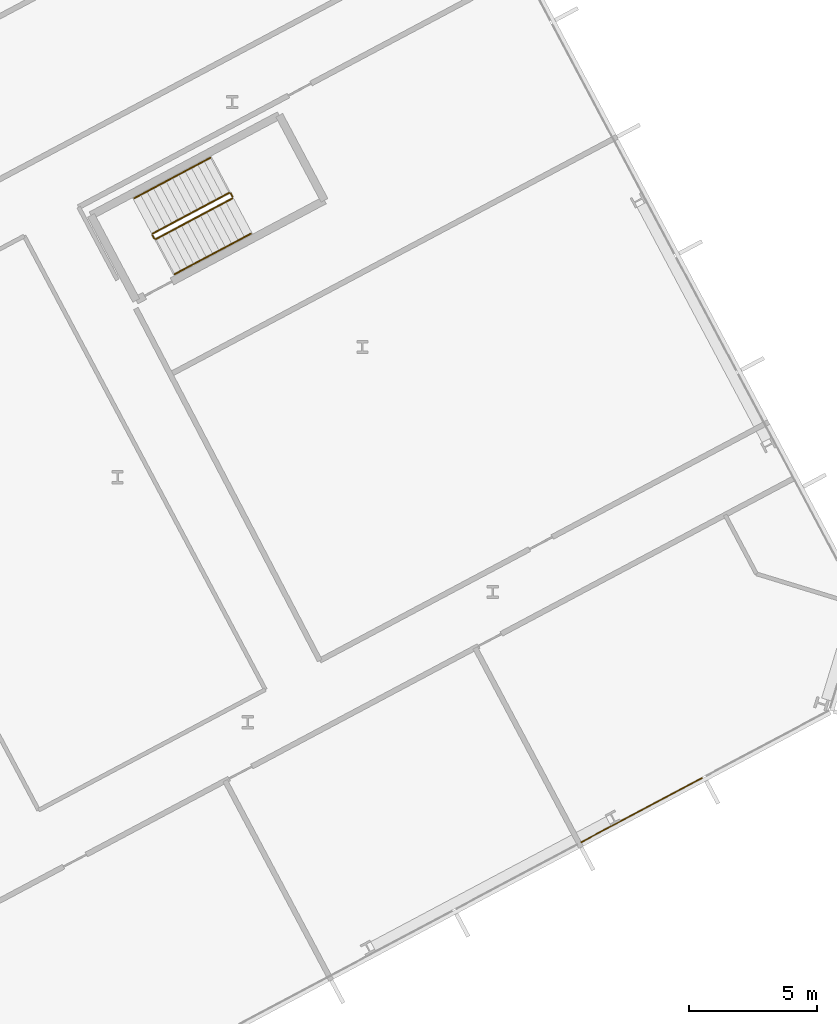
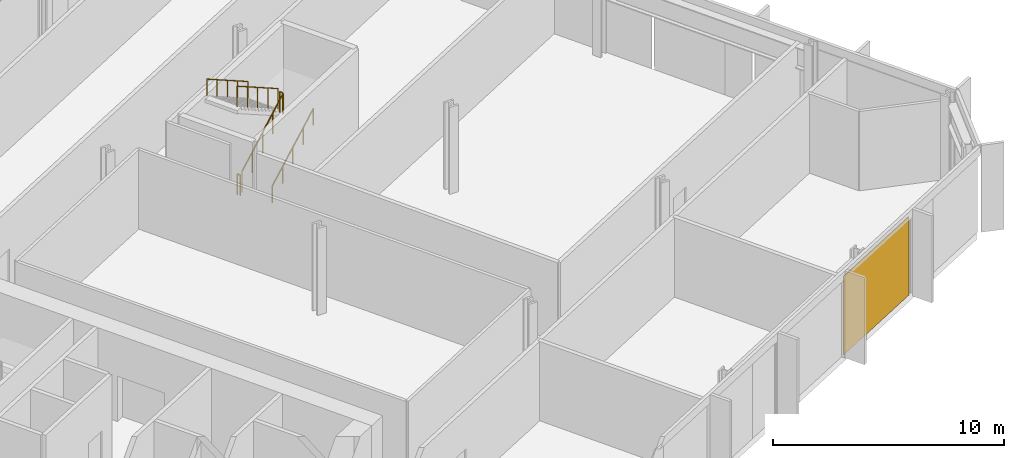
# One storey, part 30 of 32: 6 railings, 1 covering, 1 element without a shape of its own.
"""IFC4 building model written with IfcOpenShell, lengths in metres."""

from ifc_helpers import new_model, si_unit, direction, frame, origin, origin_2d, place, context, subcontext, project, spatial, polyline, rectangle, outline, extrude, material, layer, layer_set, type_object, element, aggregate, save


model = new_model("IFC4")

# Units and contexts
model_context = context("Model", 3, precision=1e-05, world=origin(), true_north=direction((0.0, 1.0)))
body_context = subcontext(model_context, "Body", "Model", "MODEL_VIEW")
ifc_project = project(units=[si_unit("LENGTHUNIT", "METRE"), si_unit("AREAUNIT", "SQUARE_METRE"), si_unit("VOLUMEUNIT", "CUBIC_METRE"), si_unit("PLANEANGLEUNIT", "RADIAN"), si_unit("MASSUNIT", "GRAM", prefix="KILO")], contexts=[model_context])

# Site, building, storey
site_placement = place(None, origin())
site = spatial("IfcSite", under=ifc_project, at=site_placement, CompositionType="ELEMENT")
building_placement = place(site_placement, origin())
building = spatial("IfcBuilding", under=site, at=building_placement, Name="Cormorant Relay Tower", CompositionType="ELEMENT")
storey_placement = place(building_placement, frame((0.0, 0.0, 70.800048828125)))
storey = spatial("IfcBuildingStorey", under=building, at=storey_placement, Name="L13", CompositionType="ELEMENT", Elevation=70.800048828125)

# Curtain wall, covering
ifc_material_1 = material(Name="Aluminium 6063-T6 anodised bronze", Category="aluminium")
ifc_layer_1 = layer(ifc_material_1, 0.199951171875)
ifc_layer_set_1 = layer_set([ifc_layer_1], Name="CW1 unitised bronze curtain wall with vertical fins")
curtain_wall_type = type_object("IfcCurtainWallType", Name="CW1 unitised bronze curtain wall with vertical fins", PredefinedType="NOTDEFINED", material=ifc_layer_set_1)
curtain_wall_placement = place(storey_placement, origin())
curtain_wall = element("IfcCurtainWall", 1, at=curtain_wall_placement, inside=storey, type_object=curtain_wall_type, Name="CW1 curtain wall 2", PredefinedType="NOTDEFINED")
ifc_material_2 = material(Name="Pale bronze anodised aluminium insulated panel", Category="aluminium")
ifc_layer_2 = layer(ifc_material_2, 0.0400390625)
ifc_layer_set_2 = layer_set([ifc_layer_2], Name="CW1 pale bronze insulated panel 40")
covering_type = type_object("IfcCoveringType", Name="CW1 pale bronze insulated panel 40", PredefinedType="CLADDING", material=ifc_layer_set_2)
covering_placement = place(storey_placement, frame((63.49169921875, 9.952392578125, 0.0), z_axis=(0.0, 0.0, 1.0), x_axis=(0.882947592859, 0.469471562786, 0.0)))
covering = element("IfcCovering", 2, at=covering_placement, type_object=covering_type, Name="CW1 panel S13", PredefinedType="CLADDING", context=body_context, shape_type="SweptSolid", body=[
    extrude(rectangle(XDim=5.36181640625, YDim=0.0400390625, at=origin_2d()), origin(), (0.0, 0.0, 1.0), 4.14990234375),
])
aggregate(curtain_wall, [covering])

# Railings
ifc_material_3 = material(Name="Steel ASTM A572 Grade 50 (Fy 345 MPa)", Category="steel")
railing_type_1 = type_object("IfcRailingType", Name="Stair guard 1100", PredefinedType="GUARDRAIL", material=ifc_material_3)
railing_1_placement = place(storey_placement, frame((44.583740234375, 32.186279296875, 0.1767578125)))
element("IfcRailing", 3, at=railing_1_placement, inside=storey, type_object=railing_type_1, Name="L13 RB1 stair guard 1", PredefinedType="GUARDRAIL", context=body_context, shape_type="SweptSolid", body=[
    extrude(outline(polyline([(0.022216796875, 0.00927734375), (0.00927734375, 0.022216796875), (-0.00927734375, 0.022216796875), (-0.022216796875, 0.00927734375), (-0.022216796875, -0.00927734375), (-0.00927734375, -0.022216796875), (0.00927734375, -0.022216796875), (0.022216796875, -0.00927734375), (0.022216796875, 0.00927734375)])), frame((0.0, 0.0, 1.076171875), z_axis=(0.74639798139, 0.396907814001, 0.534185586253), x_axis=(-0.469509342547, 0.882927503967, 0.0)), (0.0, 0.0, 1.0), 3.974853515625),
    extrude(outline(polyline([(0.019287109375, 0.008056640625), (0.008056640625, 0.019287109375), (-0.008056640625, 0.019287109375), (-0.019287109375, 0.008056640625), (-0.019287109375, -0.008056640625), (-0.008056640625, -0.019287109375), (0.008056640625, -0.019287109375), (0.019287109375, -0.008056640625), (0.019287109375, 0.008056640625)])), origin(), (0.0, 0.0, 1.0), 1.052001953125),
    extrude(outline(polyline([(0.019287109375, 0.008056640625), (0.008056640625, 0.019287109375), (-0.008056640625, 0.019287109375), (-0.019287109375, 0.008056640625), (-0.019287109375, -0.008056640625), (-0.008056640625, -0.019287109375), (0.008056640625, -0.019287109375), (0.019287109375, -0.008056640625), (0.019287109375, 0.008056640625)])), frame((0.74169921875, 0.39453125, 0.53076171875)), (0.0, 0.0, 1.0), 1.052001953125),
    extrude(outline(polyline([(0.019287109375, 0.008056640625), (0.008056640625, 0.019287109375), (-0.008056640625, 0.019287109375), (-0.019287109375, 0.008056640625), (-0.019287109375, -0.008056640625), (-0.008056640625, -0.019287109375), (0.008056640625, -0.019287109375), (0.019287109375, -0.008056640625), (0.019287109375, 0.008056640625)])), frame((1.4833984375, 0.788818359375, 1.0615234375)), (0.0, 0.0, 1.0), 1.052001953125),
    extrude(outline(polyline([(0.019287109375, 0.008056640625), (0.008056640625, 0.019287109375), (-0.008056640625, 0.019287109375), (-0.019287109375, 0.008056640625), (-0.019287109375, -0.008056640625), (-0.008056640625, -0.019287109375), (0.008056640625, -0.019287109375), (0.019287109375, -0.008056640625), (0.019287109375, 0.008056640625)])), frame((2.22509765625, 1.18310546875, 1.592529296875)), (0.0, 0.0, 1.0), 1.052001953125),
    extrude(outline(polyline([(0.019287109375, 0.008056640625), (0.008056640625, 0.019287109375), (-0.008056640625, 0.019287109375), (-0.019287109375, 0.008056640625), (-0.019287109375, -0.008056640625), (-0.008056640625, -0.019287109375), (0.008056640625, -0.019287109375), (0.019287109375, -0.008056640625), (0.019287109375, 0.008056640625)])), frame((2.966796875, 1.57763671875, 2.123291015625)), (0.0, 0.0, 1.0), 1.052001953125),
])
railing_2_placement = place(storey_placement, frame((47.571044921875, 33.831298828125, 2.300048828125)))
element("IfcRailing", 4, at=railing_2_placement, inside=storey, type_object=railing_type_1, Name="L13 RB1 stair guard 2", PredefinedType="GUARDRAIL", context=body_context, shape_type="SweptSolid", body=[
    extrude(outline(polyline([(0.022216796875, 0.00927734375), (0.00927734375, 0.022216796875), (-0.00927734375, 0.022216796875), (-0.022216796875, 0.00927734375), (-0.022216796875, -0.00927734375), (-0.00927734375, -0.022216796875), (0.00927734375, -0.022216796875), (0.022216796875, -0.00927734375), (0.022216796875, 0.00927734375)])), frame((0.0, 0.0, 1.076171875), z_axis=(-0.46856034887, 0.8834314911, 0.0), x_axis=(-0.8834314911, -0.46856034887, 0.0)), (0.0, 0.0, 1.0), 0.150146484375),
    extrude(outline(polyline([(0.019287109375, 0.008056640625), (0.008056640625, 0.019287109375), (-0.008056640625, 0.019287109375), (-0.019287109375, 0.008056640625), (-0.019287109375, -0.008056640625), (-0.008056640625, -0.019287109375), (0.008056640625, -0.019287109375), (0.019287109375, -0.008056640625), (0.019287109375, 0.008056640625)])), origin(), (0.0, 0.0, 1.0), 1.052001953125),
    extrude(outline(polyline([(0.019287109375, 0.008056640625), (0.008056640625, 0.019287109375), (-0.008056640625, 0.019287109375), (-0.019287109375, 0.008056640625), (-0.019287109375, -0.008056640625), (-0.008056640625, -0.019287109375), (0.008056640625, -0.019287109375), (0.019287109375, -0.008056640625), (0.019287109375, 0.008056640625)])), frame((-0.0703125, 0.132568359375, 0.0)), (0.0, 0.0, 1.0), 1.052001953125),
])
railing_3_placement = place(storey_placement, frame((47.43310546875, 33.984619140625, 2.476806640625)))
element("IfcRailing", 5, at=railing_3_placement, inside=storey, type_object=railing_type_1, Name="L13 RB1 stair guard 3", PredefinedType="GUARDRAIL", context=body_context, shape_type="SweptSolid", body=[
    extrude(outline(polyline([(0.022216796875, 0.00927734375), (0.00927734375, 0.022216796875), (-0.00927734375, 0.022216796875), (-0.022216796875, 0.00927734375), (-0.022216796875, -0.00927734375), (-0.00927734375, -0.022216796875), (0.00927734375, -0.022216796875), (0.022216796875, -0.00927734375), (0.022216796875, 0.00927734375)])), frame((0.0, 0.0, 1.076171875), z_axis=(-0.746440668329, -0.396869088057, 0.534154711306), x_axis=(0.46945269911, -0.882957622595, 0.0)), (0.0, 0.0, 1.0), 3.974609375),
    extrude(outline(polyline([(0.019287109375, 0.008056640625), (0.008056640625, 0.019287109375), (-0.008056640625, 0.019287109375), (-0.019287109375, 0.008056640625), (-0.019287109375, -0.008056640625), (-0.008056640625, -0.019287109375), (0.008056640625, -0.019287109375), (0.019287109375, -0.008056640625), (0.019287109375, 0.008056640625)])), origin(), (0.0, 0.0, 1.0), 1.052001953125),
    extrude(outline(polyline([(0.019287109375, 0.008056640625), (0.008056640625, 0.019287109375), (-0.008056640625, 0.019287109375), (-0.019287109375, 0.008056640625), (-0.019287109375, -0.008056640625), (-0.008056640625, -0.019287109375), (0.008056640625, -0.019287109375), (0.019287109375, -0.008056640625), (0.019287109375, 0.008056640625)])), frame((-0.74169921875, -0.394287109375, 0.53076171875)), (0.0, 0.0, 1.0), 1.052001953125),
    extrude(outline(polyline([(0.019287109375, 0.008056640625), (0.008056640625, 0.019287109375), (-0.008056640625, 0.019287109375), (-0.019287109375, 0.008056640625), (-0.019287109375, -0.008056640625), (-0.008056640625, -0.019287109375), (0.008056640625, -0.019287109375), (0.019287109375, -0.008056640625), (0.019287109375, 0.008056640625)])), frame((-1.4833984375, -0.78857421875, 1.0615234375)), (0.0, 0.0, 1.0), 1.052001953125),
    extrude(outline(polyline([(0.019287109375, 0.008056640625), (0.008056640625, 0.019287109375), (-0.008056640625, 0.019287109375), (-0.019287109375, 0.008056640625), (-0.019287109375, -0.008056640625), (-0.008056640625, -0.019287109375), (0.008056640625, -0.019287109375), (0.019287109375, -0.008056640625), (0.019287109375, 0.008056640625)])), frame((-2.22509765625, -1.18310546875, 1.59228515625)), (0.0, 0.0, 1.0), 1.052001953125),
    extrude(outline(polyline([(0.019287109375, 0.008056640625), (0.008056640625, 0.019287109375), (-0.008056640625, 0.019287109375), (-0.019287109375, 0.008056640625), (-0.019287109375, -0.008056640625), (-0.008056640625, -0.019287109375), (0.008056640625, -0.019287109375), (0.019287109375, -0.008056640625), (0.019287109375, 0.008056640625)])), frame((-2.966796875, -1.577392578125, 2.123046875)), (0.0, 0.0, 1.0), 1.052001953125),
])
railing_4_placement = place(storey_placement, frame((44.51611328125, 32.20703125, 0.0)))
element("IfcRailing", 6, at=railing_4_placement, inside=storey, type_object=railing_type_1, Name="L13 RB1 stair guard 4", PredefinedType="GUARDRAIL", context=body_context, shape_type="SweptSolid", body=[
    extrude(outline(polyline([(0.022216796875, 0.00927734375), (0.00927734375, 0.022216796875), (-0.00927734375, 0.022216796875), (-0.022216796875, 0.00927734375), (-0.022216796875, -0.00927734375), (-0.00927734375, -0.022216796875), (0.00927734375, -0.022216796875), (0.022216796875, -0.00927734375), (0.022216796875, 0.00927734375)])), frame((0.0, 0.0, 1.076171875), z_axis=(-0.46856034887, 0.8834314911, 0.0), x_axis=(-0.8834314911, -0.46856034887, 0.0)), (0.0, 0.0, 1.0), 0.150146484375),
    extrude(outline(polyline([(0.019287109375, 0.008056640625), (0.008056640625, 0.019287109375), (-0.008056640625, 0.019287109375), (-0.019287109375, 0.008056640625), (-0.019287109375, -0.008056640625), (-0.008056640625, -0.019287109375), (0.008056640625, -0.019287109375), (0.019287109375, -0.008056640625), (0.019287109375, 0.008056640625)])), origin(), (0.0, 0.0, 1.0), 1.052001953125),
    extrude(outline(polyline([(0.019287109375, 0.008056640625), (0.008056640625, 0.019287109375), (-0.008056640625, 0.019287109375), (-0.019287109375, 0.008056640625), (-0.019287109375, -0.008056640625), (-0.008056640625, -0.019287109375), (0.008056640625, -0.019287109375), (0.019287109375, -0.008056640625), (0.019287109375, 0.008056640625)])), frame((-0.0703125, 0.132568359375, 0.0)), (0.0, 0.0, 1.0), 1.052001953125),
])
ifc_material_4 = material(Name="Steel ASTM A572 Grade 50 (Fy 345 MPa)", Category="steel")
railing_type_2 = type_object("IfcRailingType", Name="Stair handrail 900", PredefinedType="HANDRAIL", material=ifc_material_4)
railing_5_placement = place(storey_placement, frame((45.3115234375, 30.81787109375, 0.1767578125)))
element("IfcRailing", 7, at=railing_5_placement, inside=storey, type_object=railing_type_2, Name="L13 RB1 stair handrail 1", PredefinedType="HANDRAIL", context=body_context, shape_type="SweptSolid", body=[
    extrude(outline(polyline([(0.022216796875, 0.00927734375), (0.00927734375, 0.022216796875), (-0.00927734375, 0.022216796875), (-0.022216796875, 0.00927734375), (-0.022216796875, -0.00927734375), (-0.00927734375, -0.022216796875), (0.00927734375, -0.022216796875), (0.022216796875, -0.00927734375), (0.022216796875, 0.00927734375)])), frame((0.0, 0.0, 0.8759765625), z_axis=(0.746388972956, 0.396874261729, 0.534223100798), x_axis=(-0.469482818608, 0.88294160794, 0.0)), (0.0, 0.0, 1.0), 3.974609375),
    extrude(outline(polyline([(0.019287109375, 0.008056640625), (0.008056640625, 0.019287109375), (-0.008056640625, 0.019287109375), (-0.019287109375, 0.008056640625), (-0.019287109375, -0.008056640625), (-0.008056640625, -0.019287109375), (0.008056640625, -0.019287109375), (0.019287109375, -0.008056640625), (0.019287109375, 0.008056640625)])), origin(), (0.0, 0.0, 1.0), 0.851806640625),
    extrude(outline(polyline([(0.019287109375, 0.008056640625), (0.008056640625, 0.019287109375), (-0.008056640625, 0.019287109375), (-0.019287109375, 0.008056640625), (-0.019287109375, -0.008056640625), (-0.008056640625, -0.019287109375), (0.008056640625, -0.019287109375), (0.019287109375, -0.008056640625), (0.019287109375, 0.008056640625)])), frame((0.74169921875, 0.394287109375, 0.53076171875)), (0.0, 0.0, 1.0), 0.851806640625),
    extrude(outline(polyline([(0.019287109375, 0.008056640625), (0.008056640625, 0.019287109375), (-0.008056640625, 0.019287109375), (-0.019287109375, 0.008056640625), (-0.019287109375, -0.008056640625), (-0.008056640625, -0.019287109375), (0.008056640625, -0.019287109375), (0.019287109375, -0.008056640625), (0.019287109375, 0.008056640625)])), frame((1.4833984375, 0.78857421875, 1.0615234375)), (0.0, 0.0, 1.0), 0.851806640625),
    extrude(outline(polyline([(0.019287109375, 0.008056640625), (0.008056640625, 0.019287109375), (-0.008056640625, 0.019287109375), (-0.019287109375, 0.008056640625), (-0.019287109375, -0.008056640625), (-0.008056640625, -0.019287109375), (0.008056640625, -0.019287109375), (0.019287109375, -0.008056640625), (0.019287109375, 0.008056640625)])), frame((2.224853515625, 1.18310546875, 1.592529296875)), (0.0, 0.0, 1.0), 0.851806640625),
    extrude(outline(polyline([(0.019287109375, 0.008056640625), (0.008056640625, 0.019287109375), (-0.008056640625, 0.019287109375), (-0.019287109375, 0.008056640625), (-0.019287109375, -0.008056640625), (-0.008056640625, -0.019287109375), (0.008056640625, -0.019287109375), (0.019287109375, -0.008056640625), (0.019287109375, 0.008056640625)])), frame((2.966552734375, 1.577392578125, 2.123291015625)), (0.0, 0.0, 1.0), 0.851806640625),
])
railing_6_placement = place(storey_placement, frame((46.705322265625, 35.35302734375, 2.476806640625)))
element("IfcRailing", 8, at=railing_6_placement, inside=storey, type_object=railing_type_2, Name="L13 RB1 stair handrail 2", PredefinedType="HANDRAIL", context=body_context, shape_type="SweptSolid", body=[
    extrude(outline(polyline([(0.022216796875, 0.00927734375), (0.00927734375, 0.022216796875), (-0.00927734375, 0.022216796875), (-0.022216796875, 0.00927734375), (-0.022216796875, -0.00927734375), (-0.00927734375, -0.022216796875), (0.00927734375, -0.022216796875), (0.022216796875, -0.00927734375), (0.022216796875, 0.00927734375)])), frame((0.0, 0.0, 0.8759765625), z_axis=(-0.746413465702, -0.396887285154, 0.534179203172), x_axis=(0.469482818608, -0.88294160794, 0.0)), (0.0, 0.0, 1.0), 3.974365234375),
    extrude(outline(polyline([(0.019287109375, 0.008056640625), (0.008056640625, 0.019287109375), (-0.008056640625, 0.019287109375), (-0.019287109375, 0.008056640625), (-0.019287109375, -0.008056640625), (-0.008056640625, -0.019287109375), (0.008056640625, -0.019287109375), (0.019287109375, -0.008056640625), (0.019287109375, 0.008056640625)])), origin(), (0.0, 0.0, 1.0), 0.851806640625),
    extrude(outline(polyline([(0.019287109375, 0.008056640625), (0.008056640625, 0.019287109375), (-0.008056640625, 0.019287109375), (-0.019287109375, 0.008056640625), (-0.019287109375, -0.008056640625), (-0.008056640625, -0.019287109375), (0.008056640625, -0.019287109375), (0.019287109375, -0.008056640625), (0.019287109375, 0.008056640625)])), frame((-0.74169921875, -0.394287109375, 0.53076171875)), (0.0, 0.0, 1.0), 0.851806640625),
    extrude(outline(polyline([(0.019287109375, 0.008056640625), (0.008056640625, 0.019287109375), (-0.008056640625, 0.019287109375), (-0.019287109375, 0.008056640625), (-0.019287109375, -0.008056640625), (-0.008056640625, -0.019287109375), (0.008056640625, -0.019287109375), (0.019287109375, -0.008056640625), (0.019287109375, 0.008056640625)])), frame((-1.4833984375, -0.78857421875, 1.0615234375)), (0.0, 0.0, 1.0), 0.851806640625),
    extrude(outline(polyline([(0.019287109375, 0.008056640625), (0.008056640625, 0.019287109375), (-0.008056640625, 0.019287109375), (-0.019287109375, 0.008056640625), (-0.019287109375, -0.008056640625), (-0.008056640625, -0.019287109375), (0.008056640625, -0.019287109375), (0.019287109375, -0.008056640625), (0.019287109375, 0.008056640625)])), frame((-2.224853515625, -1.18310546875, 1.59228515625)), (0.0, 0.0, 1.0), 0.851806640625),
    extrude(outline(polyline([(0.019287109375, 0.008056640625), (0.008056640625, 0.019287109375), (-0.008056640625, 0.019287109375), (-0.019287109375, 0.008056640625), (-0.019287109375, -0.008056640625), (-0.008056640625, -0.019287109375), (0.008056640625, -0.019287109375), (0.019287109375, -0.008056640625), (0.019287109375, 0.008056640625)])), frame((-2.966552734375, -1.577392578125, 2.123046875)), (0.0, 0.0, 1.0), 0.851806640625),
])

save(model, "model.ifc")
